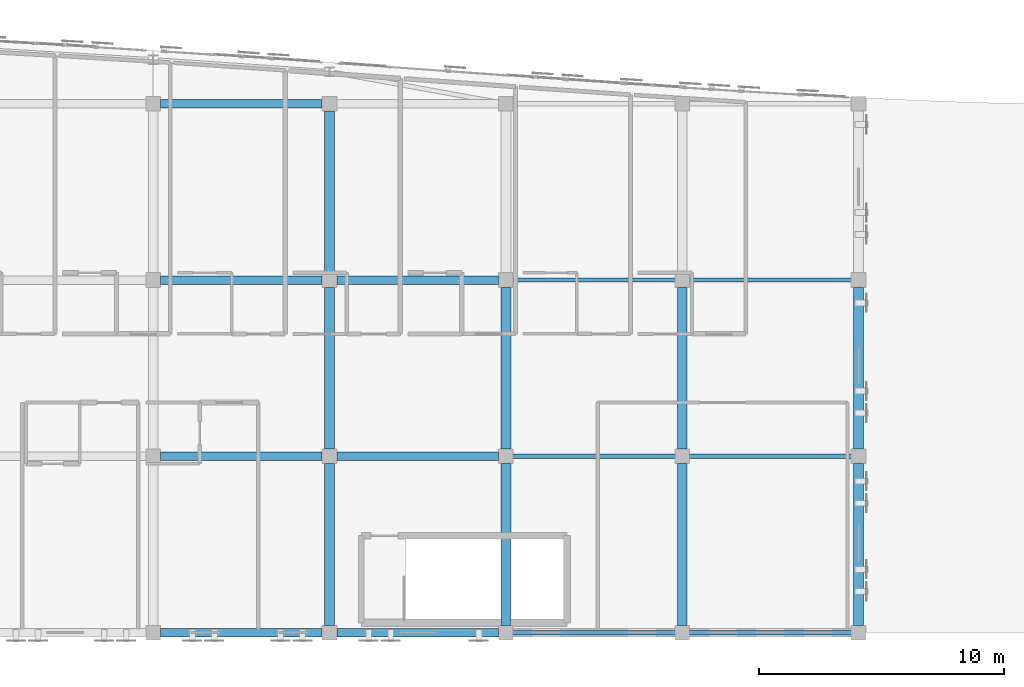
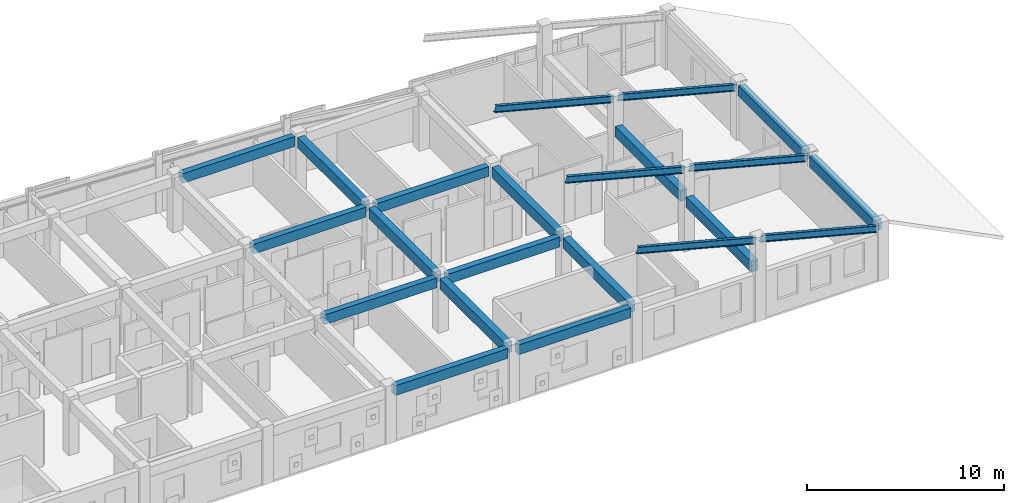
# One storey, part 23 of 45: 22 beams.
"""IFC4 building model written with IfcOpenShell, lengths in metres."""

from ifc_helpers import new_model, si_unit, direction, frame, origin, origin_2d, place, context, subcontext, project, spatial, rectangle, i_section, extrude, material, material_profile, profile_set, type_object, element, save


model = new_model("IFC4")

# Units and contexts
model_context = context("Model", 3, precision=1e-05, world=origin(), true_north=direction((0.0, 1.0)))
body_context = subcontext(model_context, "Body", "Model", "MODEL_VIEW")
ifc_project = project(units=[si_unit("LENGTHUNIT", "METRE"), si_unit("AREAUNIT", "SQUARE_METRE"), si_unit("VOLUMEUNIT", "CUBIC_METRE"), si_unit("PLANEANGLEUNIT", "RADIAN"), si_unit("MASSUNIT", "GRAM", prefix="KILO")], contexts=[model_context])

# Site, building, storey
site_placement = place(None, origin())
site = spatial("IfcSite", under=ifc_project, at=site_placement, CompositionType="ELEMENT")
building_placement = place(site_placement, origin())
building = spatial("IfcBuilding", under=site, at=building_placement, Name="Carrowvane Square Congress Hotel", CompositionType="ELEMENT")
storey_placement = place(building_placement, frame((0.0, 0.0, 33.60009765625)))
storey = spatial("IfcBuildingStorey", under=building, at=storey_placement, Name="L08", CompositionType="ELEMENT", Elevation=33.60009765625)

# Beams
ifc_material_1 = material(Name="Concrete C35/45", Category="concrete")
ifc_material_profile_1 = material_profile(ifc_material_1, rectangle(XDim=0.35009765625, YDim=0.60009765625, at=origin_2d()), Name="RC 350x600")
ifc_profile_set_1 = profile_set([ifc_material_profile_1], Name="Concrete C35/45")
beam_type_1 = type_object("IfcBeamType", Name="BM-RC-350x600", PredefinedType="BEAM", material=ifc_profile_set_1)
for number, where, z_axis, x_axis, name in (
    (1, (127.10009765625, 91.800048828125, 3.059814453125), (1.0, 0.0, 0.0), (0.0, 1.0, 0.0), "L09 girder N/17-18"),
    (2, (134.300048828125, 91.800048828125, 3.059814453125), (1.0, 0.0, 0.0), (0.0, 1.0, 0.0), "L09 girder N/18-19"),
    (3, (127.10009765625, 99.0, 3.059814453125), (1.0, 0.0, 0.0), (0.0, 1.0, 0.0), "L09 girder P/17-18"),
    (4, (134.300048828125, 99.0, 3.059814453125), (1.0, 0.0, 0.0), (0.0, 1.0, 0.0), "L09 girder P/18-19"),
    (5, (127.10009765625, 106.199951171875, 3.059814453125), (1.0, 0.0, 0.0), (0.0, 1.0, 0.0), "L09 girder Q/17-18"),
    (6, (134.300048828125, 106.199951171875, 3.059814453125), (1.0, 0.0, 0.0), (0.0, 1.0, 0.0), "L09 girder Q/18-19"),
    (7, (127.10009765625, 113.39990234375, 3.059814453125), (1.0, 0.0, 0.0), (0.0, 1.0, 0.0), "L09 girder R/17-18"),
):
    element("IfcBeam", number, at=place(storey_placement, frame(where, z_axis=z_axis, x_axis=x_axis)), inside=storey, type_object=beam_type_1, Name=name, PredefinedType="BEAM", context=body_context, shape_type="SweptSolid", body=[
        extrude(rectangle(XDim=0.35009765625, YDim=0.60009765625, at=origin_2d()), origin(), (0.0, 0.0, 1.0), 6.599853515625),
    ])
ifc_material_2 = material(Name="Concrete C35/45", Category="concrete")
ifc_material_profile_2 = material_profile(ifc_material_2, rectangle(XDim=0.39990234375, YDim=0.64990234375, at=origin_2d()), Name="RC 400x650")
ifc_profile_set_2 = profile_set([ifc_material_profile_2], Name="Concrete C35/45")
beam_type_2 = type_object("IfcBeamType", Name="BM-RC-400x650", PredefinedType="BEAM", material=ifc_profile_set_2)
for number, where, z_axis, x_axis, name in (
    (8, (134.0, 92.10009765625, 3.034912109375), (0.0, 1.0, 0.0), (-1.0, 0.0, 0.0), "L09 girder 18/N-P"),
    (9, (134.0, 99.300048828125, 3.034912109375), (0.0, 1.0, 0.0), (-1.0, 0.0, 0.0), "L09 girder 18/P-Q"),
):
    element("IfcBeam", number, at=place(storey_placement, frame(where, z_axis=z_axis, x_axis=x_axis)), inside=storey, type_object=beam_type_2, Name=name, PredefinedType="BEAM", context=body_context, shape_type="SweptSolid", body=[
        extrude(rectangle(XDim=0.39990234375, YDim=0.64990234375, at=origin_2d()), origin(), (0.0, 0.0, 1.0), 6.599853515625),
    ])
beam_placement = place(storey_placement, frame((134.0, 106.5, 3.034912109375), z_axis=(0.0, 1.0, 0.0), x_axis=(-1.0, 0.0, 0.0)))
element("IfcBeam", 10, at=beam_placement, inside=storey, type_object=beam_type_2, Name="L09 girder 18/Q-R", PredefinedType="BEAM", context=body_context, shape_type="SweptSolid", body=[
    extrude(rectangle(XDim=0.39990234375, YDim=0.64990234375, at=origin_2d()), origin(), (0.0, 0.0, 1.0), 6.60009765625),
])
for number, where, z_axis, x_axis, name in (
    (11, (141.199951171875, 92.10009765625, 3.034912109375), (0.0, 1.0, 0.0), (-1.0, 0.0, 0.0), "L09 girder 19/N-P"),
    (12, (141.199951171875, 99.300048828125, 3.034912109375), (0.0, 1.0, 0.0), (-1.0, 0.0, 0.0), "L09 girder 19/P-Q"),
    (13, (148.39990234375, 92.10009765625, 3.034912109375), (0.0, 1.0, 0.0), (-1.0, 0.0, 0.0), "L09 girder 20/N-P"),
    (14, (148.39990234375, 99.300048828125, 3.034912109375), (0.0, 1.0, 0.0), (-1.0, 0.0, 0.0), "L09 girder 20/P-Q"),
    (15, (155.60009765625, 92.10009765625, 3.034912109375), (0.0, 1.0, 0.0), (-1.0, 0.0, 0.0), "L09 girder 21/N-P"),
    (16, (155.60009765625, 99.300048828125, 3.034912109375), (0.0, 1.0, 0.0), (-1.0, 0.0, 0.0), "L09 girder 21/P-Q"),
):
    element("IfcBeam", number, at=place(storey_placement, frame(where, z_axis=z_axis, x_axis=x_axis)), inside=storey, type_object=beam_type_2, Name=name, PredefinedType="BEAM", context=body_context, shape_type="SweptSolid", body=[
        extrude(rectangle(XDim=0.39990234375, YDim=0.64990234375, at=origin_2d()), origin(), (0.0, 0.0, 1.0), 6.599853515625),
    ])
ifc_material_3 = material(Name="Steel S355", Category="steel")
ifc_material_profile_3 = material_profile(ifc_material_3, i_section(OverallWidth=0.1787109375, OverallDepth=0.409423828125, WebThickness=0.0087890625, FlangeThickness=0.014404296875, FilletRadius=0.01025390625, at=origin_2d()), Name="UKB 406x178x67")
ifc_profile_set_3 = profile_set([ifc_material_profile_3], Name="Steel S355")
beam_type_3 = type_object("IfcBeamType", Name="BM-ST-UKB406", PredefinedType="BEAM", material=ifc_profile_set_3)
for number, where, z_axis, x_axis, name in (
    (17, (141.35009765625, 91.800048828125, 6.679931640625), (0.967614727274, 0.0, -0.252431653251), (0.0, 1.0, 0.0), "L08 shallow-arc roof rafter 25"),
    (18, (141.35009765625, 99.0, 6.679931640625), (0.967614727274, 0.0, -0.252431653251), (0.0, 1.0, 0.0), "L08 shallow-arc roof rafter 26"),
    (19, (141.35009765625, 106.199951171875, 6.679931640625), (0.967614727274, 0.0, -0.252431653251), (0.0, 1.0, 0.0), "L08 shallow-arc roof rafter 27"),
    (20, (148.550048828125, 91.800048828125, 4.8798828125), (0.967614727274, 0.0, -0.252431653251), (0.0, 1.0, 0.0), "L08 shallow-arc roof rafter 29"),
    (21, (148.550048828125, 99.0, 4.8798828125), (0.967614727274, 0.0, -0.252431653251), (0.0, 1.0, 0.0), "L08 shallow-arc roof rafter 30"),
    (22, (148.550048828125, 106.199951171875, 4.8798828125), (0.967614727274, 0.0, -0.252431653251), (0.0, 1.0, 0.0), "L08 shallow-arc roof rafter 31"),
):
    element("IfcBeam", number, at=place(storey_placement, frame(where, z_axis=z_axis, x_axis=x_axis)), inside=storey, type_object=beam_type_3, Name=name, PredefinedType="BEAM", context=body_context, shape_type="SweptSolid", body=[
        extrude(i_section(OverallWidth=0.1787109375, OverallDepth=0.409423828125, WebThickness=0.0087890625, FlangeThickness=0.014404296875, FilletRadius=0.01025390625, at=origin_2d()), origin(), (0.0, 0.0, 1.0), 7.130859375),
    ])

save(model, "model.ifc")
